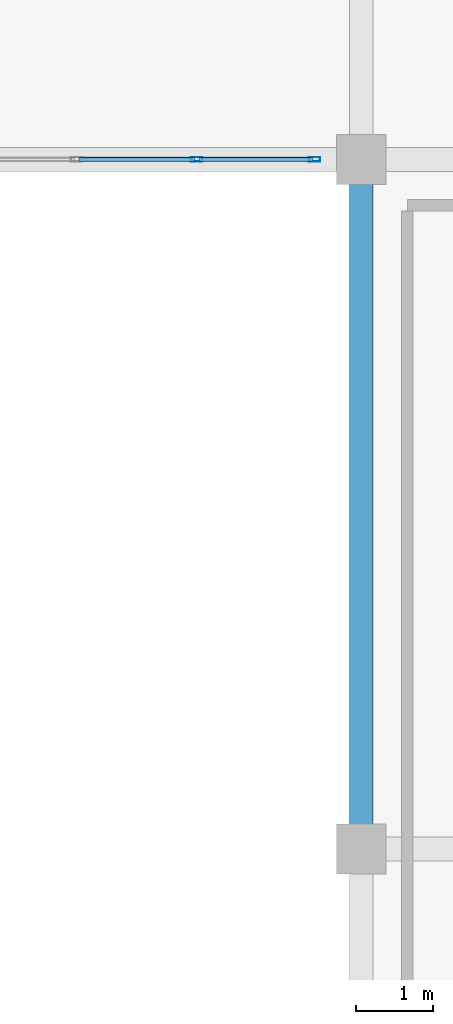
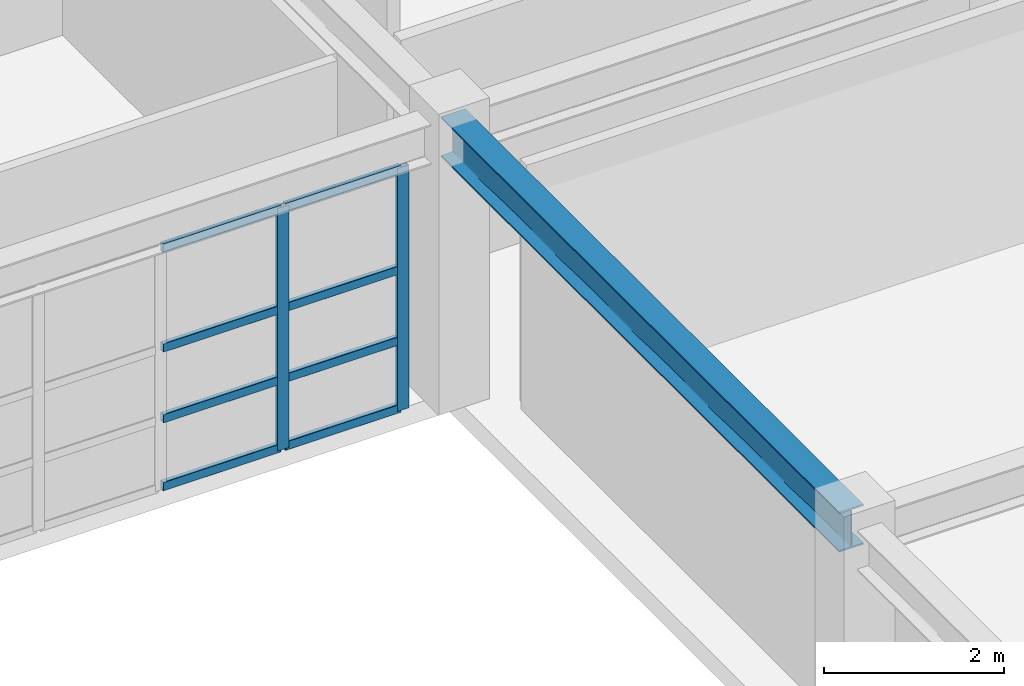
# One storey, part 87 of 130: 10 members, 1 beam, 1 element without a shape of its own.
"""IFC4 building model written with IfcOpenShell, lengths in metres."""

from ifc_helpers import new_model, si_unit, direction, frame, origin, origin_2d, place, context, subcontext, project, spatial, hollow_rectangle, i_section, extrude, material, material_profile, profile_set, type_object, element, aggregate, save


model = new_model("IFC4")

# Units and contexts
model_context = context("Model", 3, precision=1e-05, world=origin(), true_north=direction((0.0, 1.0)))
body_context = subcontext(model_context, "Body", "Model", "MODEL_VIEW")
ifc_project = project(units=[si_unit("LENGTHUNIT", "METRE"), si_unit("AREAUNIT", "SQUARE_METRE"), si_unit("VOLUMEUNIT", "CUBIC_METRE"), si_unit("PLANEANGLEUNIT", "RADIAN"), si_unit("MASSUNIT", "GRAM", prefix="KILO")], contexts=[model_context])

# Site, building, storey
site_placement = place(None, origin())
site = spatial("IfcSite", under=ifc_project, at=site_placement, CompositionType="ELEMENT")
building_placement = place(site_placement, origin())
building = spatial("IfcBuilding", under=site, at=building_placement, Name="Miravela Opera House", CompositionType="ELEMENT")
storey_placement = place(building_placement, frame((0.0, 0.0, 9.52001953125)))
storey = spatial("IfcBuildingStorey", under=building, at=storey_placement, Name="L02", CompositionType="ELEMENT", Elevation=9.52001953125)

# Curtain wall, members
ifc_material_1 = material(Name="Anodised architectural bronze aluminium 6063-T6", Category="aluminium")
curtain_wall_type = type_object("IfcCurtainWallType", Name="ARC-CW-05", PredefinedType="NOTDEFINED", material=ifc_material_1)
curtain_wall_placement = place(storey_placement, origin())
curtain_wall = element("IfcCurtainWall", 1, at=curtain_wall_placement, inside=storey, type_object=curtain_wall_type, Name="Courtyard Arcade Curtain Wall CW-L02-189", PredefinedType="NOTDEFINED")
ifc_material_profile_1 = material_profile(ifc_material_1, hollow_rectangle(XDim=0.06005859375, YDim=0.14990234375, WallThickness=0.00390625, InnerFilletRadius=0.001953125, OuterFilletRadius=0.00390625, at=origin_2d()), Name="CWM-60X150")
ifc_profile_set_1 = profile_set([ifc_material_profile_1])
member_type_1 = type_object("IfcMemberType", Name="ARC-CWM-150", PredefinedType="MULLION", material=ifc_profile_set_1)
member_1_placement = place(storey_placement, frame((141.85205078125, 103.0, 0.0), z_axis=(0.0, 0.0, 1.0), x_axis=(0.0, 1.0, 0.0)))
member_1 = element("IfcMember", 2, at=member_1_placement, type_object=member_type_1, Name="CW-05 mullion 5", PredefinedType="MULLION", context=body_context, shape_type="SweptSolid", body=[
    extrude(hollow_rectangle(XDim=0.06005859375, YDim=0.14990234375, WallThickness=0.00390625, InnerFilletRadius=0.001953125, OuterFilletRadius=0.00390625, at=origin_2d()), origin(), (0.0, 0.0, 1.0), 3.2900390625),
])
member_2_placement = place(storey_placement, frame((143.389892578125, 103.0, 0.0), z_axis=(0.0, 0.0, 1.0), x_axis=(0.0, 1.0, 0.0)))
member_2 = element("IfcMember", 3, at=member_2_placement, type_object=member_type_1, Name="CW-05 mullion 6", PredefinedType="MULLION", context=body_context, shape_type="SweptSolid", body=[
    extrude(hollow_rectangle(XDim=0.06005859375, YDim=0.14990234375, WallThickness=0.00390625, InnerFilletRadius=0.001953125, OuterFilletRadius=0.00390625, at=origin_2d()), origin(), (0.0, 0.0, 1.0), 3.2900390625),
])
ifc_material_profile_2 = material_profile(ifc_material_1, hollow_rectangle(XDim=0.06005859375, YDim=0.114990234375, WallThickness=0.00390625, InnerFilletRadius=0.001953125, OuterFilletRadius=0.00390625, at=origin_2d()), Name="CWT-60X115")
ifc_profile_set_2 = profile_set([ifc_material_profile_2])
member_type_2 = type_object("IfcMemberType", Name="ARC-CWT-115", PredefinedType="USERDEFINED", material=ifc_profile_set_2)
member_3_placement = place(storey_placement, frame((140.31396484375, 103.0, 0.030029296875), z_axis=(1.0, 0.0, 0.0), x_axis=(0.0, 1.0, 0.0)))
member_3 = element("IfcMember", 4, at=member_3_placement, type_object=member_type_2, Name="CW-05 transom 4.1", ObjectType="TRANSOM", PredefinedType="USERDEFINED", context=body_context, shape_type="SweptSolid", body=[
    extrude(hollow_rectangle(XDim=0.06005859375, YDim=0.114990234375, WallThickness=0.00390625, InnerFilletRadius=0.001953125, OuterFilletRadius=0.00390625, at=origin_2d()), origin(), (0.0, 0.0, 1.0), 1.508056640625),
])
member_4_placement = place(storey_placement, frame((140.31396484375, 103.0, 0.949951171875), z_axis=(1.0, 0.0, 0.0), x_axis=(0.0, 1.0, 0.0)))
member_4 = element("IfcMember", 5, at=member_4_placement, type_object=member_type_2, Name="CW-05 transom 4.2", ObjectType="TRANSOM", PredefinedType="USERDEFINED", context=body_context, shape_type="SweptSolid", body=[
    extrude(hollow_rectangle(XDim=0.06005859375, YDim=0.114990234375, WallThickness=0.00390625, InnerFilletRadius=0.001953125, OuterFilletRadius=0.00390625, at=origin_2d()), origin(), (0.0, 0.0, 1.0), 1.508056640625),
])
member_5_placement = place(storey_placement, frame((140.31396484375, 103.0, 1.908203125), z_axis=(1.0, 0.0, 0.0), x_axis=(0.0, 1.0, 0.0)))
member_5 = element("IfcMember", 6, at=member_5_placement, type_object=member_type_2, Name="CW-05 transom 4.3", ObjectType="TRANSOM", PredefinedType="USERDEFINED", context=body_context, shape_type="SweptSolid", body=[
    extrude(hollow_rectangle(XDim=0.06005859375, YDim=0.114990234375, WallThickness=0.00390625, InnerFilletRadius=0.001953125, OuterFilletRadius=0.00390625, at=origin_2d()), origin(), (0.0, 0.0, 1.0), 1.508056640625),
])
member_6_placement = place(storey_placement, frame((140.31396484375, 103.0, 3.260009765625), z_axis=(1.0, 0.0, 0.0), x_axis=(0.0, 1.0, 0.0)))
member_6 = element("IfcMember", 7, at=member_6_placement, type_object=member_type_2, Name="CW-05 transom 4.4", ObjectType="TRANSOM", PredefinedType="USERDEFINED", context=body_context, shape_type="SweptSolid", body=[
    extrude(hollow_rectangle(XDim=0.06005859375, YDim=0.114990234375, WallThickness=0.00390625, InnerFilletRadius=0.001953125, OuterFilletRadius=0.00390625, at=origin_2d()), origin(), (0.0, 0.0, 1.0), 1.508056640625),
])
member_7_placement = place(storey_placement, frame((141.882080078125, 103.0, 0.030029296875), z_axis=(1.0, 0.0, 0.0), x_axis=(0.0, 1.0, 0.0)))
member_7 = element("IfcMember", 8, at=member_7_placement, type_object=member_type_2, Name="CW-05 transom 5.1", ObjectType="TRANSOM", PredefinedType="USERDEFINED", context=body_context, shape_type="SweptSolid", body=[
    extrude(hollow_rectangle(XDim=0.06005859375, YDim=0.114990234375, WallThickness=0.00390625, InnerFilletRadius=0.001953125, OuterFilletRadius=0.00390625, at=origin_2d()), origin(), (0.0, 0.0, 1.0), 1.47802734375),
])
member_8_placement = place(storey_placement, frame((141.882080078125, 103.0, 0.949951171875), z_axis=(1.0, 0.0, 0.0), x_axis=(0.0, 1.0, 0.0)))
member_8 = element("IfcMember", 9, at=member_8_placement, type_object=member_type_2, Name="CW-05 transom 5.2", ObjectType="TRANSOM", PredefinedType="USERDEFINED", context=body_context, shape_type="SweptSolid", body=[
    extrude(hollow_rectangle(XDim=0.06005859375, YDim=0.114990234375, WallThickness=0.00390625, InnerFilletRadius=0.001953125, OuterFilletRadius=0.00390625, at=origin_2d()), origin(), (0.0, 0.0, 1.0), 1.47802734375),
])
member_9_placement = place(storey_placement, frame((141.882080078125, 103.0, 1.908203125), z_axis=(1.0, 0.0, 0.0), x_axis=(0.0, 1.0, 0.0)))
member_9 = element("IfcMember", 10, at=member_9_placement, type_object=member_type_2, Name="CW-05 transom 5.3", ObjectType="TRANSOM", PredefinedType="USERDEFINED", context=body_context, shape_type="SweptSolid", body=[
    extrude(hollow_rectangle(XDim=0.06005859375, YDim=0.114990234375, WallThickness=0.00390625, InnerFilletRadius=0.001953125, OuterFilletRadius=0.00390625, at=origin_2d()), origin(), (0.0, 0.0, 1.0), 1.47802734375),
])
member_10_placement = place(storey_placement, frame((141.882080078125, 103.0, 3.260009765625), z_axis=(1.0, 0.0, 0.0), x_axis=(0.0, 1.0, 0.0)))
member_10 = element("IfcMember", 11, at=member_10_placement, type_object=member_type_2, Name="CW-05 transom 5.4", ObjectType="TRANSOM", PredefinedType="USERDEFINED", context=body_context, shape_type="SweptSolid", body=[
    extrude(hollow_rectangle(XDim=0.06005859375, YDim=0.114990234375, WallThickness=0.00390625, InnerFilletRadius=0.001953125, OuterFilletRadius=0.00390625, at=origin_2d()), origin(), (0.0, 0.0, 1.0), 1.47802734375),
])
aggregate(curtain_wall, [member_1, member_2, member_3, member_4, member_5, member_6, member_7, member_8, member_9, member_10])

# Beam
ifc_material_2 = material(Name="Structural steel ASTM A992 Gr. 50", Category="steel")
ifc_material_profile_3 = material_profile(ifc_material_2, i_section(OverallWidth=0.31201171875, OverallDepth=0.54296875, WebThickness=0.0126953125, FlangeThickness=0.020263671875, FilletRadius=0.01611328125, at=origin_2d()), Name="W530X150")
ifc_profile_set_3 = profile_set([ifc_material_profile_3])
beam_type = type_object("IfcBeamType", Name="STR-BM-W530X150", PredefinedType="BEAM", material=ifc_profile_set_3)
beam_placement = place(storey_placement, frame((144.0, 94.080078125, 3.568359375), z_axis=(0.0, 1.0, 0.0), x_axis=(-1.0, 0.0, 0.0)))
element("IfcBeam", 12, at=beam_placement, inside=storey, type_object=beam_type, Name="Roof Eave Girder ROOF-V3-EAST-M W2", PredefinedType="BEAM", context=body_context, shape_type="SweptSolid", body=[
    extrude(i_section(OverallWidth=0.31201171875, OverallDepth=0.54296875, WebThickness=0.0126953125, FlangeThickness=0.020263671875, FilletRadius=0.01611328125, at=origin_2d()), origin(), (0.0, 0.0, 1.0), 8.83984375),
])

save(model, "model.ifc")
